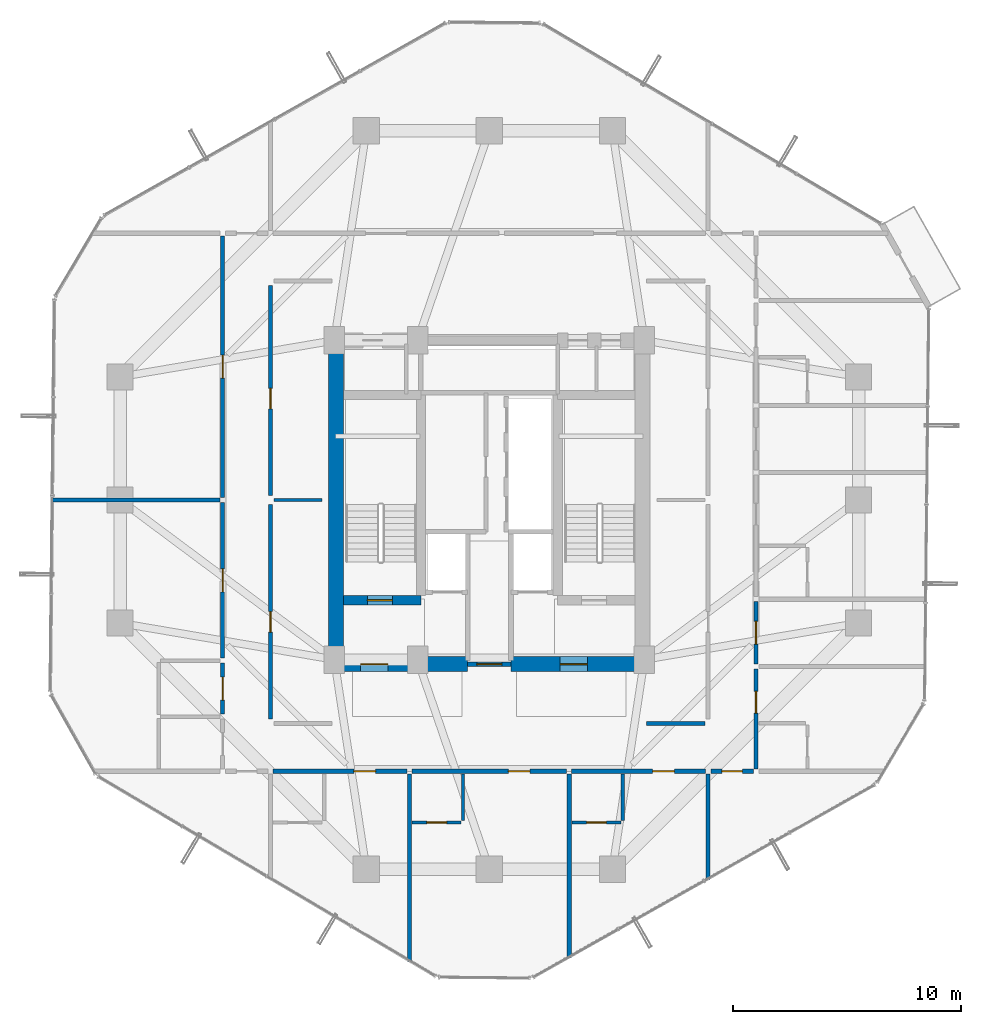
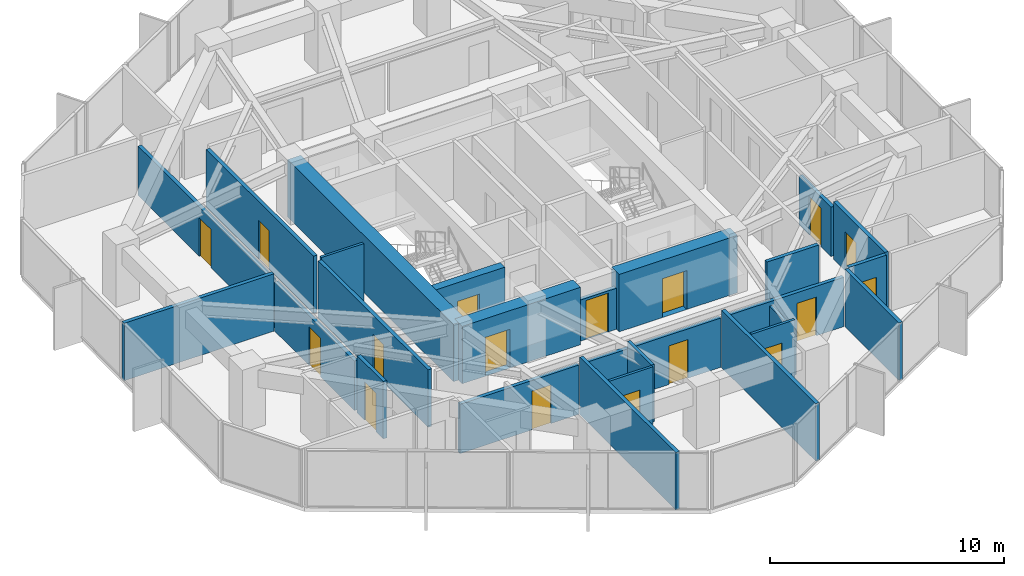
# One storey, part 26 of 30: 26 walls, 17 doors, 17 openings.
"""IFC4 building model written with IfcOpenShell, lengths in metres."""

import ifcopenshell
import ifcopenshell.guid

model = None  # the IFC model being written
_history = None  # IfcOwnerHistory: only IFC2X3 demands one
_inside = {}  # id of a spatial element -> (the spatial element, [elements in it])
_under = {}  # id of a project, library or spatial element -> (it, [spatial elements below it])
_declared = {}  # id of a project -> (the project, [libraries it declares])
_typed = {}  # id of a type object -> (the type object, [elements of that type])
_made_of = {}  # id of a material, layer set ... -> (it, [elements and type objects made of it])


def new_model(schema):
    """Start an empty IFC model of exactly this schema.

    Asked for "IFC4X3", IfcOpenShell would pick the latest addendum, in which some entities
    have other attributes; the version numbers below select the first issue.
    IFC2X3 requires an IfcOwnerHistory on every rooted entity: one is made here for all.
    """
    global model, _history
    if schema == "IFC4X3":
        model = ifcopenshell.file(schema_version=(4, 3, 0, 0))
    else:
        model = ifcopenshell.file(schema=schema)
    _inside.clear()
    _under.clear()
    _declared.clear()
    _typed.clear()
    _made_of.clear()
    _history = None
    if model.schema == "IFC2X3":
        org = make("IfcOrganization", Name="unknown")
        user = make(
            "IfcPersonAndOrganization",
            ThePerson=make("IfcPerson", FamilyName="unknown"),
            TheOrganization=org,
        )
        app = make(
            "IfcApplication",
            ApplicationDeveloper=org,
            Version="unknown",
            ApplicationFullName="unknown",
            ApplicationIdentifier="unknown",
        )
        _history = make(
            "IfcOwnerHistory",
            OwningUser=user,
            OwningApplication=app,
            ChangeAction="ADDED",
            CreationDate=0,
        )
    return model


def make(cls, **values):
    """One entity of the class cls with the attributes given. An attribute that is None is left unset."""
    return model.create_entity(
        cls, **{name: value for name, value in values.items() if value is not None}
    )


def rooted(cls, **values):
    """An entity with a GlobalId (a new one), such as an element, a storey or a relation."""
    return make(cls, GlobalId=ifcopenshell.guid.new(), OwnerHistory=_history, **values)


def si_unit(unit_type, name, prefix=None):
    """IfcSIUnit, for example si_unit("LENGTHUNIT", "METRE", prefix="MILLI")."""
    return make("IfcSIUnit", UnitType=unit_type, Prefix=prefix, Name=name)


def assignment(units):
    """IfcUnitAssignment: the units of a project."""
    return None if units is None else make("IfcUnitAssignment", Units=units)


def point(xyz):
    """IfcCartesianPoint."""
    return None if xyz is None else make("IfcCartesianPoint", Coordinates=xyz)


def direction(xyz):
    """IfcDirection."""
    return None if xyz is None else make("IfcDirection", DirectionRatios=xyz)


def frame(location, z_axis=None, x_axis=None):
    """IfcAxis2Placement3D, a coordinate frame: its origin and axes. An axis left out is left unset."""
    return make(
        "IfcAxis2Placement3D",
        Location=point(location),
        Axis=direction(z_axis),
        RefDirection=direction(x_axis),
    )


def frame_2d(location, x_axis=None):
    """IfcAxis2Placement2D, a coordinate frame in the plane: its origin and x axis."""
    return make(
        "IfcAxis2Placement2D", Location=point(location), RefDirection=direction(x_axis)
    )


def origin():
    """The frame at (0, 0, 0) with its axes left unset."""
    return frame((0.0, 0.0, 0.0))


def place(relative_to, where):
    """IfcLocalPlacement: puts the frame where relative to a parent placement (None: the world)."""
    return make(
        "IfcLocalPlacement", PlacementRelTo=relative_to, RelativePlacement=where
    )


def context(
    kind, dimensions, precision=None, world=None, true_north=None, identifier=None
):
    """IfcGeometricRepresentationContext, for example the 3D "Model" context."""
    return make(
        "IfcGeometricRepresentationContext",
        ContextIdentifier=identifier,
        ContextType=kind,
        CoordinateSpaceDimension=dimensions,
        Precision=precision,
        WorldCoordinateSystem=world,
        TrueNorth=true_north,
    )


def subcontext(parent, identifier, kind, view, scale=None):
    """IfcGeometricRepresentationSubContext, for example "Body" below "Model"."""
    return make(
        "IfcGeometricRepresentationSubContext",
        ContextIdentifier=identifier,
        ContextType=kind,
        ParentContext=parent,
        TargetScale=scale,
        TargetView=view,
    )


def project(units=None, contexts=None):
    """IfcProject with its units and contexts."""
    return rooted(
        "IfcProject",
        Name="project",
        RepresentationContexts=contexts,
        UnitsInContext=assignment(units),
    )


def spatial(cls, under=None, at=None, **own):
    """A site, building, storey or space (cls), placed at a placement, below another one or the project."""
    s = rooted(cls, ObjectPlacement=at, **own)
    if under is not None:
        _under.setdefault(under.id(), (under, []))[1].append(s)
    return s


def profile(cls, at=None, kind="AREA", **sizes):
    """A parametric profile (cls). Its sizes go by their IFC names, for example OverallWidth=200.0."""
    return make(cls, ProfileType=kind, Position=at, **sizes)


def rectangle(**sizes):
    """IfcRectangleProfileDef."""
    return profile("IfcRectangleProfileDef", **sizes)


def extrude(swept, where, along, depth):
    """IfcExtrudedAreaSolid: the profile swept, set in the frame where, extruded along a direction by depth."""
    return make(
        "IfcExtrudedAreaSolid",
        SweptArea=swept,
        Position=where,
        ExtrudedDirection=direction(along),
        Depth=depth,
    )


def shape(context_of_items, identifier, shape_type, items):
    """IfcShapeRepresentation: the items that make up one representation, for example the "Body"."""
    return make(
        "IfcShapeRepresentation",
        ContextOfItems=context_of_items,
        RepresentationIdentifier=identifier,
        RepresentationType=shape_type,
        Items=items,
    )


def source(mapping_origin, context_of_items, identifier, shape_type, items):
    """IfcRepresentationMap: a shape defined once, which mapped items show again and again."""
    return make(
        "IfcRepresentationMap",
        MappingOrigin=mapping_origin,
        MappedRepresentation=shape(context_of_items, identifier, shape_type, items),
    )


def transform(
    local_origin,
    x_axis=None,
    y_axis=None,
    z_axis=None,
    scale=None,
    scale2=None,
    scale3=None,
    uniform=True,
):
    """IfcCartesianTransformationOperator3D, or its non-uniform kind. x_axis, y_axis, z_axis: its Axis1, 2, 3."""
    if uniform:
        return make(
            "IfcCartesianTransformationOperator3D",
            Axis1=direction(x_axis),
            Axis2=direction(y_axis),
            LocalOrigin=point(local_origin),
            Scale=scale,
            Axis3=direction(z_axis),
        )
    return make(
        "IfcCartesianTransformationOperator3DnonUniform",
        Axis1=direction(x_axis),
        Axis2=direction(y_axis),
        LocalOrigin=point(local_origin),
        Scale=scale,
        Axis3=direction(z_axis),
        Scale2=scale2,
        Scale3=scale3,
    )


def mapped(mapping_source, mapping_target):
    """IfcMappedItem: shows the shape of a source again, moved by a transform."""
    return make(
        "IfcMappedItem", MappingSource=mapping_source, MappingTarget=mapping_target
    )


def material(Name=None, Category=None):
    """IfcMaterial."""
    return make("IfcMaterial", Name=Name, Category=Category)


def layer(
    of_material, thickness, ventilated=None, Name=None, Category=None, Priority=None
):
    """IfcMaterialLayer: one layer of a wall or slab, of a material (None: an air gap)."""
    return make(
        "IfcMaterialLayer",
        Material=of_material,
        LayerThickness=thickness,
        IsVentilated=ventilated,
        Name=Name,
        Category=Category,
        Priority=Priority,
    )


def layer_set(layers, Name=None):
    """IfcMaterialLayerSet."""
    return make("IfcMaterialLayerSet", MaterialLayers=layers, LayerSetName=Name)


def made_of(thing, what):
    """Note that an element or type object is made of a material, layer set ...; save() writes the relation."""
    if what is not None:
        _made_of.setdefault(what.id(), (what, []))[1].append(thing)
    return thing


def type_object(cls, material=None, **own):
    """A type object (cls), such as IfcWallType, which elements share."""
    return made_of(rooted(cls, **own), material)


def element(
    cls,
    number,
    at=None,
    inside=None,
    cuts=None,
    type_object=None,
    material=None,
    context=None,
    identifier="Body",
    shape_type=None,
    held_by="IfcProductDefinitionShape",
    body=None,
    shapes=None,
    **own,
):
    """One element of the class cls, such as IfcWall. Its Tag is "e" and its number.

    at: its placement. inside: the storey or other place that contains it. cuts: it is an
    opening in that element (IfcRelVoidsElement). A single representation is given by context,
    identifier, shape_type and body (its items); several are given by shapes. held_by: the class
    of the entity that holds the representations. save() writes the other relations.
    """
    e = rooted(cls, Tag="e%d" % number, ObjectPlacement=at, **own)
    if body is not None:
        shapes = [shape(context, identifier, shape_type, body)]
    if shapes is not None:
        e.Representation = make(held_by, Representations=shapes)
    if inside is not None:
        _inside.setdefault(inside.id(), (inside, []))[1].append(e)
    if cuts is not None:
        rooted(
            "IfcRelVoidsElement", RelatingBuildingElement=cuts, RelatedOpeningElement=e
        )
    if type_object is not None:
        _typed.setdefault(type_object.id(), (type_object, []))[1].append(e)
    return made_of(e, material)


def fill(opening, filler):
    """IfcRelFillsElement: the door or window that sits in an opening."""
    return rooted(
        "IfcRelFillsElement",
        RelatingOpeningElement=opening,
        RelatedBuildingElement=filler,
    )


def aggregate(whole, parts):
    """IfcRelAggregates: a whole, such as a stair, and the parts it consists of."""
    return rooted("IfcRelAggregates", RelatingObject=whole, RelatedObjects=parts)


def save(model, path):
    """Write the relations noted so far, then the file.

    IfcRelAggregates (storeys below a building ...), IfcRelContainedInSpatialStructure (elements
    in a storey), IfcRelDefinesByType, IfcRelAssociatesMaterial and IfcRelDeclares: one each for
    every whole, place, type object, material and project.
    """
    for whole, parts in _under.values():
        aggregate(whole, parts)
    for where, things in _inside.values():
        rooted(
            "IfcRelContainedInSpatialStructure",
            RelatedElements=things,
            RelatingStructure=where,
        )
    for kind, things in _typed.values():
        rooted("IfcRelDefinesByType", RelatedObjects=things, RelatingType=kind)
    for what, things in _made_of.values():
        rooted("IfcRelAssociatesMaterial", RelatedObjects=things, RelatingMaterial=what)
    for by, libraries in _declared.values():
        rooted("IfcRelDeclares", RelatingContext=by, RelatedDefinitions=libraries)
    model.write(path)


model = new_model("IFC4")

# Units and contexts
model_context = context("Model", 3, precision=1e-05, world=origin(), true_north=direction((0.0, 1.0)))
body_context = subcontext(model_context, "Body", "Model", "MODEL_VIEW")
ifc_project = project(units=[si_unit("LENGTHUNIT", "METRE"), si_unit("AREAUNIT", "SQUARE_METRE"), si_unit("VOLUMEUNIT", "CUBIC_METRE"), si_unit("PLANEANGLEUNIT", "RADIAN"), si_unit("MASSUNIT", "GRAM", prefix="KILO")], contexts=[model_context])

# Site, building, storey
site_placement = place(None, origin())
site = spatial("IfcSite", under=ifc_project, at=site_placement, CompositionType="ELEMENT")
building_placement = place(site_placement, origin())
building = spatial("IfcBuilding", under=site, at=building_placement, Name="Veraguas Prism Commons", CompositionType="ELEMENT")
storey_placement = place(building_placement, frame((0.0, 0.0, 126.25)))
storey = spatial("IfcBuildingStorey", under=building, at=storey_placement, Name="L35", CompositionType="ELEMENT", Elevation=126.25)

# Wall, opening, door
ifc_material_1 = material(Name="Concrete C50/60", Category="concrete")
ifc_layer_1 = layer(ifc_material_1, 0.39990234375, Name="Clinic and Mid Core Shear Wall RC 400", Category="concrete")
ifc_layer_set_1 = layer_set([ifc_layer_1], Name="Concrete C50/60")
wall_type_1 = type_object("IfcWallType", Name="Clinic and Mid Core Shear Wall RC 400", PredefinedType="SHEAR", material=ifc_layer_set_1)
wall_1_placement = place(storey_placement, frame((17.60009765625, 19.60009765625, 0.0), z_axis=(0.0, 0.0, 1.0), x_axis=(1.0, 0.0, 0.0)))
wall_1 = element("IfcWall", 1, at=wall_1_placement, inside=storey, type_object=wall_type_1, Name="Stair ST-01 South Shear Wall L35", PredefinedType="SHEAR", context=body_context, shape_type="SweptSolid", body=[
    extrude(rectangle(XDim=3.39990234375, YDim=0.39990234375, at=frame_2d((1.699951171875, 0.0))), origin(), (0.0, 0.0, 1.0), 3.0),
])
opening_1_placement = place(wall_1_placement, frame((1.050048828125, 0.0, 0.0)))
opening_1 = element("IfcOpeningElement", 2, at=opening_1_placement, cuts=wall_1, Name="Opening DR-05", PredefinedType="OPENING", context=body_context, shape_type="SweptSolid", body=[
    extrude(rectangle(XDim=1.10009765625, YDim=2.030029296875, at=frame_2d((0.550048828125, 1.01513671875))), frame((0.0, 0.2099609375, 0.0), z_axis=(0.0, -1.0, 0.0), x_axis=(1.0, 0.0, 0.0)), (0.0, 0.0, 1.0), 0.419921875),
])
ifc_material_2 = material(Name="Steel fire-rated door assembly", Category="steel")
door_type_1 = type_object("IfcDoorType", Name="Protected Stair and Refuge Fire Door 1100x2030", OperationType="NOTDEFINED", PredefinedType="DOOR", material=ifc_material_2)
shared_shape_1 = source(origin(), body_context, "Body", "SweptSolid", [
    extrude(rectangle(XDim=1.10009765625, YDim=2.030029296875, at=frame_2d((0.550048828125, 1.01513671875))), frame((0.0, 0.02490234375, 0.0), z_axis=(0.0, -1.0, 0.0), x_axis=(1.0, 0.0, 0.0)), (0.0, 0.0, 1.0), 0.050048828125),
])
door_1_placement = place(opening_1_placement, origin())
door_1 = element("IfcDoor", 3, at=door_1_placement, inside=storey, type_object=door_type_1, Name="Stair ST-01 Enclosure Door L35", OperationType="SINGLE_SWING_RIGHT", OverallHeight=2.030029296875, OverallWidth=1.10009765625, PredefinedType="DOOR", context=body_context, shape_type="MappedRepresentation", body=[
    mapped(shared_shape_1, transform((0.0, 0.0, 0.0), scale=1.0)),
])
fill(opening_1, door_1)

# Wall
ifc_material_3 = material(Name="Concrete C55/67", Category="concrete")
ifc_layer_2 = layer(ifc_material_3, 0.64990234375, Name="Core Outer Shear Wall Mid RC 650", Category="concrete")
ifc_layer_set_2 = layer_set([ifc_layer_2], Name="Concrete C55/67")
wall_type_2 = type_object("IfcWallType", Name="Core Outer Shear Wall Mid RC 650", PredefinedType="SHEAR", material=ifc_layer_set_2)
wall_2_placement = place(storey_placement, frame((17.27490234375, 16.800048828125, 0.0), z_axis=(0.0, 0.0, 1.0), x_axis=(0.0, 1.0, 0.0)))
element("IfcWall", 4, at=wall_2_placement, inside=storey, type_object=wall_type_2, Name="Central Core West Shear Wall L35", PredefinedType="SHEAR", context=body_context, shape_type="SweptSolid", body=[
    extrude(rectangle(XDim=14.199951171875, YDim=0.64990234375, at=frame_2d((7.10009765625, 0.0))), origin(), (0.0, 0.0, 1.0), 3.0),
])

# Wall, opening, door
wall_3_placement = place(storey_placement, frame((17.199951171875, 16.800048828125, 0.0), z_axis=(0.0, 0.0, 1.0), x_axis=(1.0, 0.0, 0.0)))
wall_3 = element("IfcWall", 5, at=wall_3_placement, inside=storey, type_object=wall_type_2, Name="Central Core South-West Shear Wall L35", PredefinedType="SHEAR", context=body_context, shape_type="SweptSolid", body=[
    extrude(rectangle(XDim=5.85009765625, YDim=0.64990234375, at=frame_2d((2.925048828125, 0.0))), origin(), (0.0, 0.0, 1.0), 3.0),
])
opening_2_placement = place(wall_3_placement, frame((1.14990234375, 0.0, 0.0)))
opening_2 = element("IfcOpeningElement", 6, at=opening_2_placement, cuts=wall_3, Name="Opening DR-06", PredefinedType="OPENING", context=body_context, shape_type="SweptSolid", body=[
    extrude(rectangle(XDim=1.199951171875, YDim=2.030029296875, at=frame_2d((0.60009765625, 1.01513671875))), frame((0.0, 0.3349609375, 0.0), z_axis=(0.0, -1.0, 0.0), x_axis=(1.0, 0.0, 0.0)), (0.0, 0.0, 1.0), 0.669921875),
])
door_type_2 = type_object("IfcDoorType", Name="Firefighting Lobby Smoke Door 1200x2030", OperationType="NOTDEFINED", PredefinedType="DOOR", material=ifc_material_2)
shared_shape_2 = source(origin(), body_context, "Body", "SweptSolid", [
    extrude(rectangle(XDim=1.199951171875, YDim=2.030029296875, at=frame_2d((0.60009765625, 1.01513671875))), frame((0.0, 0.02490234375, 0.0), z_axis=(0.0, -1.0, 0.0), x_axis=(1.0, 0.0, 0.0)), (0.0, 0.0, 1.0), 0.050048828125),
])
door_2_placement = place(opening_2_placement, origin())
door_2 = element("IfcDoor", 7, at=door_2_placement, inside=storey, type_object=door_type_2, Name="West FF Lobby Door L35", OperationType="SINGLE_SWING_RIGHT", OverallHeight=2.030029296875, OverallWidth=1.199951171875, PredefinedType="DOOR", context=body_context, shape_type="MappedRepresentation", body=[
    mapped(shared_shape_2, transform((0.0, 0.0, 0.0), scale=1.0)),
])
fill(opening_2, door_2)

wall_4_placement = place(storey_placement, frame((24.949951171875, 16.800048828125, 0.0), z_axis=(0.0, 0.0, 1.0), x_axis=(1.0, 0.0, 0.0)))
wall_4 = element("IfcWall", 8, at=wall_4_placement, inside=storey, type_object=wall_type_2, Name="Central Core South-East Shear Wall L35", PredefinedType="SHEAR", context=body_context, shape_type="SweptSolid", body=[
    extrude(rectangle(XDim=5.85009765625, YDim=0.64990234375, at=frame_2d((2.925048828125, 0.0))), origin(), (0.0, 0.0, 1.0), 3.0),
])
opening_3_placement = place(wall_4_placement, frame((2.14990234375, 0.0, 0.0)))
opening_3 = element("IfcOpeningElement", 9, at=opening_3_placement, cuts=wall_4, Name="Opening DR-06", PredefinedType="OPENING", context=body_context, shape_type="SweptSolid", body=[
    extrude(rectangle(XDim=1.199951171875, YDim=2.030029296875, at=frame_2d((0.60009765625, 1.01513671875))), frame((0.0, 0.3349609375, 0.0), z_axis=(0.0, -1.0, 0.0), x_axis=(1.0, 0.0, 0.0)), (0.0, 0.0, 1.0), 0.669921875),
])
door_3_placement = place(opening_3_placement, origin())
door_3 = element("IfcDoor", 10, at=door_3_placement, inside=storey, type_object=door_type_2, Name="East FF Lobby Door L35", OperationType="SINGLE_SWING_RIGHT", OverallHeight=2.030029296875, OverallWidth=1.199951171875, PredefinedType="DOOR", context=body_context, shape_type="MappedRepresentation", body=[
    mapped(shared_shape_2, transform((0.0, 0.0, 0.0), scale=1.0)),
])
fill(opening_3, door_3)

ifc_material_4 = material(Name="Autoclaved aerated masonry block 10 MPa", Category="masonry")
ifc_layer_3 = layer(ifc_material_4, 0.179931640625, Name="Corridor and Inter-Tenancy Partition 180", Category="masonry")
ifc_layer_set_3 = layer_set([ifc_layer_3], Name="Autoclaved aerated masonry block 10 MPa")
wall_type_3 = type_object("IfcWallType", Name="Corridor and Inter-Tenancy Partition 180", PredefinedType="PARTITIONING", material=ifc_layer_set_3)
wall_5_placement = place(storey_placement, frame((14.39990234375, 14.39990234375, 0.0), z_axis=(0.0, 0.0, 1.0), x_axis=(0.0, 1.0, 0.0)))
wall_5 = element("IfcWall", 11, at=wall_5_placement, inside=storey, type_object=wall_type_3, Name="WL-L35-IRW1", PredefinedType="PARTITIONING", context=body_context, shape_type="SweptSolid", body=[
    extrude(rectangle(XDim=9.400146484375, YDim=0.179931640625, at=frame_2d((4.7001953125, 0.0))), origin(), (0.0, 0.0, 1.0), 3.0),
])
opening_4_placement = place(wall_5_placement, frame((3.800048828125, 0.0, 0.0)))
opening_4 = element("IfcOpeningElement", 12, at=opening_4_placement, cuts=wall_5, Name="Opening DR-14", PredefinedType="OPENING", context=body_context, shape_type="SweptSolid", body=[
    extrude(rectangle(XDim=0.89990234375, YDim=2.010009765625, at=frame_2d((0.449951171875, 1.0048828125))), frame((0.0, 0.099853515625, 0.0), z_axis=(0.0, -1.0, 0.0), x_axis=(1.0, 0.0, 0.0)), (0.0, 0.0, 1.0), 0.199951171875),
])
door_type_3 = type_object("IfcDoorType", Name="Core Service Room Fire Door 900x2010", OperationType="NOTDEFINED", PredefinedType="DOOR", material=ifc_material_2)
shared_shape_3 = source(origin(), body_context, "Body", "SweptSolid", [
    extrude(rectangle(XDim=0.89990234375, YDim=2.010009765625, at=frame_2d((0.449951171875, 1.0048828125))), frame((0.0, 0.02490234375, 0.0), z_axis=(0.0, -1.0, 0.0), x_axis=(1.0, 0.0, 0.0)), (0.0, 0.0, 1.0), 0.050048828125),
])
door_4_placement = place(opening_4_placement, origin())
door_4 = element("IfcDoor", 13, at=door_4_placement, inside=storey, type_object=door_type_3, Name="Residents Quiet Study Pod Door L35", OperationType="SINGLE_SWING_LEFT", OverallHeight=2.010009765625, OverallWidth=0.89990234375, PredefinedType="DOOR", context=body_context, shape_type="MappedRepresentation", body=[
    mapped(shared_shape_3, transform((0.0, 0.0, 0.0), scale=1.0)),
])
fill(opening_4, door_4)

wall_6_placement = place(storey_placement, frame((14.39990234375, 24.199951171875, 0.0), z_axis=(0.0, 0.0, 1.0), x_axis=(0.0, 1.0, 0.0)))
wall_6 = element("IfcWall", 14, at=wall_6_placement, inside=storey, type_object=wall_type_3, Name="WL-L35-IRW2", PredefinedType="PARTITIONING", context=body_context, shape_type="SweptSolid", body=[
    extrude(rectangle(XDim=9.199951171875, YDim=0.179931640625, at=frame_2d((4.60009765625, 0.0))), origin(), (0.0, 0.0, 1.0), 3.0),
])
opening_5_placement = place(wall_6_placement, frame((3.800048828125, 0.0, 0.0)))
opening_5 = element("IfcOpeningElement", 15, at=opening_5_placement, cuts=wall_6, Name="Opening DR-14", PredefinedType="OPENING", context=body_context, shape_type="SweptSolid", body=[
    extrude(rectangle(XDim=0.89990234375, YDim=2.010009765625, at=frame_2d((0.449951171875, 1.0048828125))), frame((0.0, 0.099853515625, 0.0), z_axis=(0.0, -1.0, 0.0), x_axis=(1.0, 0.0, 0.0)), (0.0, 0.0, 1.0), 0.199951171875),
])
door_5_placement = place(opening_5_placement, origin())
door_5 = element("IfcDoor", 16, at=door_5_placement, inside=storey, type_object=door_type_3, Name="Co-op Cycle and Pram Store Door L35", OperationType="SINGLE_SWING_RIGHT", OverallHeight=2.010009765625, OverallWidth=0.89990234375, PredefinedType="DOOR", context=body_context, shape_type="MappedRepresentation", body=[
    mapped(shared_shape_3, transform((0.0, 0.0, 0.0), scale=1.0)),
])
fill(opening_5, door_5)

# Walls
wall_7_placement = place(storey_placement, frame((30.89990234375, 14.199951171875, 0.0), z_axis=(0.0, 0.0, 1.0), x_axis=(1.0, 0.0, 0.0)))
element("IfcWall", 17, at=wall_7_placement, inside=storey, type_object=wall_type_3, Name="WL-L35-IRES", PredefinedType="PARTITIONING", context=body_context, shape_type="SweptSolid", body=[
    extrude(rectangle(XDim=2.550048828125, YDim=0.179931640625, at=frame_2d((1.27490234375, 0.0))), origin(), (0.0, 0.0, 1.0), 3.0),
])
wall_8_placement = place(storey_placement, frame((33.60009765625, 11.97998046875, 0.0), z_axis=(0.0, 0.0, 1.0), x_axis=(0.0, -1.0, 0.0)))
element("IfcWall", 18, at=wall_8_placement, inside=storey, type_object=wall_type_3, Name="WL-L35-PT002", PredefinedType="PARTITIONING", context=body_context, shape_type="SweptSolid", body=[
    extrude(rectangle(XDim=4.623291015625, YDim=0.179931640625, at=frame_2d((2.3115234375, 0.0))), origin(), (0.0, 0.0, 1.0), 3.0),
])

# Wall, opening, door
wall_9_placement = place(storey_placement, frame((14.510009765625, 12.10009765625, 0.0), z_axis=(0.0, 0.0, 1.0), x_axis=(1.0, 0.0, 0.0)))
wall_9 = element("IfcWall", 19, at=wall_9_placement, inside=storey, type_object=wall_type_3, Name="WL-L35-PT003", PredefinedType="PARTITIONING", context=body_context, shape_type="SweptSolid", body=[
    extrude(rectangle(XDim=5.8759765625, YDim=0.179931640625, at=frame_2d((2.93798828125, 0.0))), origin(), (0.0, 0.0, 1.0), 2.580078125),
])
opening_6_placement = place(wall_9_placement, frame((3.54931640625, 0.0, 0.0)))
opening_6 = element("IfcOpeningElement", 20, at=opening_6_placement, cuts=wall_9, Name="Opening DR-01", PredefinedType="OPENING", context=body_context, shape_type="SweptSolid", body=[
    extrude(rectangle(XDim=0.949951171875, YDim=2.02001953125, at=frame_2d((0.47509765625, 1.010009765625))), frame((0.0, 0.099853515625, 0.0), z_axis=(0.0, -1.0, 0.0), x_axis=(1.0, 0.0, 0.0)), (0.0, 0.0, 1.0), 0.199951171875),
])
ifc_material_5 = material(Name="Anodised aluminium EN AW-6063 T6", Category="aluminium")
door_type_4 = type_object("IfcDoorType", Name="Apartment Entrance Fire Door 950x2020", OperationType="NOTDEFINED", PredefinedType="DOOR", material=ifc_material_5)
shared_shape_4 = source(origin(), body_context, "Body", "SweptSolid", [
    extrude(rectangle(XDim=0.949951171875, YDim=2.02001953125, at=frame_2d((0.47509765625, 1.010009765625))), frame((0.0, 0.02490234375, 0.0), z_axis=(0.0, -1.0, 0.0), x_axis=(1.0, 0.0, 0.0)), (0.0, 0.0, 1.0), 0.050048828125),
])
door_6_placement = place(opening_6_placement, origin())
door_6 = element("IfcDoor", 21, at=door_6_placement, inside=storey, type_object=door_type_4, Name="Studio 35A Entrance Door", OperationType="SINGLE_SWING_LEFT", OverallHeight=2.02001953125, OverallWidth=0.949951171875, PredefinedType="DOOR", context=body_context, shape_type="MappedRepresentation", body=[
    mapped(shared_shape_4, transform((0.0, 0.0, 0.0), scale=1.0)),
])
fill(opening_6, door_6)

# Wall
wall_10_placement = place(storey_placement, frame((20.49609375, 11.97998046875, 0.0), z_axis=(0.0, 0.0, 1.0), x_axis=(0.0, -1.0, 0.0)))
element("IfcWall", 22, at=wall_10_placement, inside=storey, type_object=wall_type_3, Name="WL-L35-PT006", PredefinedType="PARTITIONING", context=body_context, shape_type="SweptSolid", body=[
    extrude(rectangle(XDim=8.228515625, YDim=0.179931640625, at=frame_2d((4.1142578125, 0.0))), origin(), (0.0, 0.0, 1.0), 3.0),
])

# Wall, opening, door
wall_11_placement = place(storey_placement, frame((20.60595703125, 12.10009765625, 0.0), z_axis=(0.0, 0.0, 1.0), x_axis=(1.0, 0.0, 0.0)))
wall_11 = element("IfcWall", 23, at=wall_11_placement, inside=storey, type_object=wall_type_3, Name="WL-L35-PT007", PredefinedType="PARTITIONING", context=body_context, shape_type="SweptSolid", body=[
    extrude(rectangle(XDim=6.7880859375, YDim=0.179931640625, at=frame_2d((3.39404296875, 0.0))), origin(), (0.0, 0.0, 1.0), 2.580078125),
])
opening_7_placement = place(wall_11_placement, frame((4.22412109375, 0.0, 0.0)))
opening_7 = element("IfcOpeningElement", 24, at=opening_7_placement, cuts=wall_11, Name="Opening DR-01", PredefinedType="OPENING", context=body_context, shape_type="SweptSolid", body=[
    extrude(rectangle(XDim=0.949951171875, YDim=2.02001953125, at=frame_2d((0.47509765625, 1.010009765625))), frame((0.0, 0.099853515625, 0.0), z_axis=(0.0, -1.0, 0.0), x_axis=(1.0, 0.0, 0.0)), (0.0, 0.0, 1.0), 0.199951171875),
])
door_7_placement = place(opening_7_placement, origin())
door_7 = element("IfcDoor", 25, at=door_7_placement, inside=storey, type_object=door_type_4, Name="Studio 35B Entrance Door", OperationType="SINGLE_SWING_LEFT", OverallHeight=2.02001953125, OverallWidth=0.949951171875, PredefinedType="DOOR", context=body_context, shape_type="MappedRepresentation", body=[
    mapped(shared_shape_4, transform((0.0, 0.0, 0.0), scale=1.0)),
])
fill(opening_7, door_7)

# Wall
wall_12_placement = place(storey_placement, frame((27.50390625, 11.97998046875, 0.0), z_axis=(0.0, 0.0, 1.0), x_axis=(0.0, -1.0, 0.0)))
element("IfcWall", 26, at=wall_12_placement, inside=storey, type_object=wall_type_3, Name="WL-L35-PT010", PredefinedType="PARTITIONING", context=body_context, shape_type="SweptSolid", body=[
    extrude(rectangle(XDim=8.05810546875, YDim=0.179931640625, at=frame_2d((4.029052734375, 0.0))), origin(), (0.0, 0.0, 1.0), 3.0),
])

# Wall, opening, door
wall_13_placement = place(storey_placement, frame((27.614013671875, 12.10009765625, 0.0), z_axis=(0.0, 0.0, 1.0), x_axis=(1.0, 0.0, 0.0)))
wall_13 = element("IfcWall", 27, at=wall_13_placement, inside=storey, type_object=wall_type_3, Name="WL-L35-PT011", PredefinedType="PARTITIONING", context=body_context, shape_type="SweptSolid", body=[
    extrude(rectangle(XDim=5.8759765625, YDim=0.179931640625, at=frame_2d((2.93798828125, 0.0))), origin(), (0.0, 0.0, 1.0), 2.580078125),
])
opening_8_placement = place(wall_13_placement, frame((3.54931640625, 0.0, 0.0)))
opening_8 = element("IfcOpeningElement", 28, at=opening_8_placement, cuts=wall_13, Name="Opening DR-01", PredefinedType="OPENING", context=body_context, shape_type="SweptSolid", body=[
    extrude(rectangle(XDim=0.949951171875, YDim=2.02001953125, at=frame_2d((0.47509765625, 1.010009765625))), frame((0.0, 0.099853515625, 0.0), z_axis=(0.0, -1.0, 0.0), x_axis=(1.0, 0.0, 0.0)), (0.0, 0.0, 1.0), 0.199951171875),
])
door_8_placement = place(opening_8_placement, origin())
door_8 = element("IfcDoor", 29, at=door_8_placement, inside=storey, type_object=door_type_4, Name="Studio 35C Entrance Door", OperationType="SINGLE_SWING_LEFT", OverallHeight=2.02001953125, OverallWidth=0.949951171875, PredefinedType="DOOR", context=body_context, shape_type="MappedRepresentation", body=[
    mapped(shared_shape_4, transform((0.0, 0.0, 0.0), scale=1.0)),
])
fill(opening_8, door_8)

wall_14_placement = place(storey_placement, frame((12.300048828125, 14.610107421875, 0.0), z_axis=(0.0, 0.0, 1.0), x_axis=(0.0, 1.0, 0.0)))
wall_14 = element("IfcWall", 30, at=wall_14_placement, inside=storey, type_object=wall_type_3, Name="WL-L35-PT021", PredefinedType="PARTITIONING", context=body_context, shape_type="SweptSolid", body=[
    extrude(rectangle(XDim=2.22998046875, YDim=0.179931640625, at=frame_2d((1.114990234375, 0.0))), origin(), (0.0, 0.0, 1.0), 3.0),
])
opening_9_placement = place(wall_14_placement, frame((0.614990234375, 0.0, 0.0)))
opening_9 = element("IfcOpeningElement", 31, at=opening_9_placement, cuts=wall_14, Name="Opening DR-13", PredefinedType="OPENING", context=body_context, shape_type="SweptSolid", body=[
    extrude(rectangle(XDim=1.0, YDim=2.010009765625, at=frame_2d((0.5, 1.0048828125))), frame((0.0, 0.099853515625, 0.0), z_axis=(0.0, -1.0, 0.0), x_axis=(1.0, 0.0, 0.0)), (0.0, 0.0, 1.0), 0.199951171875),
])
door_type_5 = type_object("IfcDoorType", Name="Core Accessible WC and Clinic Fire Door 1000x2010", OperationType="NOTDEFINED", PredefinedType="DOOR", material=ifc_material_2)
shared_shape_5 = source(origin(), body_context, "Body", "SweptSolid", [
    extrude(rectangle(XDim=1.0, YDim=2.010009765625, at=frame_2d((0.5, 1.0048828125))), frame((0.0, 0.02490234375, 0.0), z_axis=(0.0, -1.0, 0.0), x_axis=(1.0, 0.0, 0.0)), (0.0, 0.0, 1.0), 0.050048828125),
])
door_9_placement = place(opening_9_placement, origin())
door_9 = element("IfcDoor", 32, at=door_9_placement, inside=storey, type_object=door_type_5, Name="Accessible WC L35 Door", OperationType="SINGLE_SWING_RIGHT", OverallHeight=2.010009765625, OverallWidth=1.0, PredefinedType="DOOR", context=body_context, shape_type="MappedRepresentation", body=[
    mapped(shared_shape_5, transform((0.0, 0.0, 0.0), scale=1.0)),
])
fill(opening_9, door_9)

wall_15_placement = place(storey_placement, frame((12.300048828125, 17.06005859375, 0.0), z_axis=(0.0, 0.0, 1.0), x_axis=(0.0, 1.0, 0.0)))
wall_15 = element("IfcWall", 33, at=wall_15_placement, inside=storey, type_object=wall_type_3, Name="WL-L35-PT022", PredefinedType="PARTITIONING", context=body_context, shape_type="SweptSolid", body=[
    extrude(rectangle(XDim=6.829833984375, YDim=0.179931640625, at=frame_2d((3.4150390625, 0.0))), origin(), (0.0, 0.0, 1.0), 2.580078125),
])
opening_10_placement = place(wall_15_placement, frame((2.9150390625, 0.0, 0.0)))
opening_10 = element("IfcOpeningElement", 34, at=opening_10_placement, cuts=wall_15, Name="Opening DR-13", PredefinedType="OPENING", context=body_context, shape_type="SweptSolid", body=[
    extrude(rectangle(XDim=1.0, YDim=2.010009765625, at=frame_2d((0.5, 1.0048828125))), frame((0.0, 0.099853515625, 0.0), z_axis=(0.0, -1.0, 0.0), x_axis=(1.0, 0.0, 0.0)), (0.0, 0.0, 1.0), 0.199951171875),
])
door_10_placement = place(opening_10_placement, origin())
door_10 = element("IfcDoor", 35, at=door_10_placement, inside=storey, type_object=door_type_5, Name="Quiet Study L35 Door", OperationType="SINGLE_SWING_LEFT", OverallHeight=2.010009765625, OverallWidth=1.0, PredefinedType="DOOR", context=body_context, shape_type="MappedRepresentation", body=[
    mapped(shared_shape_5, transform((0.0, 0.0, 0.0), scale=1.0)),
])
fill(opening_10, door_10)

wall_16_placement = place(storey_placement, frame((12.300048828125, 24.110107421875, 0.0), z_axis=(0.0, 0.0, 1.0), x_axis=(0.0, 1.0, 0.0)))
wall_16 = element("IfcWall", 36, at=wall_16_placement, inside=storey, type_object=wall_type_3, Name="WL-L35-PT023", PredefinedType="PARTITIONING", context=body_context, shape_type="SweptSolid", body=[
    extrude(rectangle(XDim=11.47998046875, YDim=0.179931640625, at=frame_2d((5.739990234375, 0.0))), origin(), (0.0, 0.0, 1.0), 2.580078125),
])
opening_11_placement = place(wall_16_placement, frame((5.239990234375, 0.0, 0.0)))
opening_11 = element("IfcOpeningElement", 37, at=opening_11_placement, cuts=wall_16, Name="Opening DR-13", PredefinedType="OPENING", context=body_context, shape_type="SweptSolid", body=[
    extrude(rectangle(XDim=1.0, YDim=2.010009765625, at=frame_2d((0.5, 1.0048828125))), frame((0.0, 0.099853515625, 0.0), z_axis=(0.0, -1.0, 0.0), x_axis=(1.0, 0.0, 0.0)), (0.0, 0.0, 1.0), 0.199951171875),
])
door_11_placement = place(opening_11_placement, origin())
door_11 = element("IfcDoor", 38, at=door_11_placement, inside=storey, type_object=door_type_5, Name="Reading Lounge L35 Door", OperationType="SINGLE_SWING_RIGHT", OverallHeight=2.010009765625, OverallWidth=1.0, PredefinedType="DOOR", context=body_context, shape_type="MappedRepresentation", body=[
    mapped(shared_shape_5, transform((0.0, 0.0, 0.0), scale=1.0)),
])
fill(opening_11, door_11)

# Wall
wall_17_placement = place(storey_placement, frame((12.179931640625, 24.0, 0.0), z_axis=(0.0, 0.0, 1.0), x_axis=(-1.0, 0.0, 0.0)))
element("IfcWall", 39, at=wall_17_placement, inside=storey, type_object=wall_type_3, Name="WL-L35-PT028", PredefinedType="PARTITIONING", context=body_context, shape_type="SweptSolid", body=[
    extrude(rectangle(XDim=7.393310546875, YDim=0.179931640625, at=frame_2d((3.69677734375, 0.0))), origin(), (0.0, 0.0, 1.0), 3.0),
])

# Wall, opening, door
wall_18_placement = place(storey_placement, frame((35.699951171875, 16.80810546875, 0.0), z_axis=(0.0, 0.0, 1.0), x_axis=(0.0, 1.0, 0.0)))
wall_18 = element("IfcWall", 40, at=wall_18_placement, inside=storey, type_object=wall_type_3, Name="WL-L35-PT031", PredefinedType="PARTITIONING", context=body_context, shape_type="SweptSolid", body=[
    extrude(rectangle(XDim=2.72998046875, YDim=0.179931640625, at=frame_2d((1.364990234375, 0.0))), origin(), (0.0, 0.0, 1.0), 2.580078125),
])
opening_12_placement = place(wall_18_placement, frame((0.864990234375, 0.0, 0.0)))
opening_12 = element("IfcOpeningElement", 41, at=opening_12_placement, cuts=wall_18, Name="Opening DR-13", PredefinedType="OPENING", context=body_context, shape_type="SweptSolid", body=[
    extrude(rectangle(XDim=1.0, YDim=2.010009765625, at=frame_2d((0.5, 1.0048828125))), frame((0.0, 0.099853515625, 0.0), z_axis=(0.0, -1.0, 0.0), x_axis=(1.0, 0.0, 0.0)), (0.0, 0.0, 1.0), 0.199951171875),
])
door_12_placement = place(opening_12_placement, origin())
door_12 = element("IfcDoor", 42, at=door_12_placement, inside=storey, type_object=door_type_5, Name="Quiet Study E Door", OperationType="SINGLE_SWING_LEFT", OverallHeight=2.010009765625, OverallWidth=1.0, PredefinedType="DOOR", context=body_context, shape_type="MappedRepresentation", body=[
    mapped(shared_shape_5, transform((0.0, 0.0, 0.0), scale=1.0)),
])
fill(opening_12, door_12)

wall_19_placement = place(storey_placement, frame((35.699951171875, 12.2099609375, 0.0), z_axis=(0.0, 0.0, 1.0), x_axis=(0.0, 1.0, 0.0)))
wall_19 = element("IfcWall", 43, at=wall_19_placement, inside=storey, type_object=wall_type_3, Name="WL-L35-PT033", PredefinedType="PARTITIONING", context=body_context, shape_type="SweptSolid", body=[
    extrude(rectangle(XDim=4.3779296875, YDim=0.179931640625, at=frame_2d((2.18896484375, 0.0))), origin(), (0.0, 0.0, 1.0), 3.0),
])
opening_13_placement = place(wall_19_placement, frame((2.440673828125, 0.0, 0.0)))
opening_13 = element("IfcOpeningElement", 44, at=opening_13_placement, cuts=wall_19, Name="Opening DR-01", PredefinedType="OPENING", context=body_context, shape_type="SweptSolid", body=[
    extrude(rectangle(XDim=0.949951171875, YDim=2.02001953125, at=frame_2d((0.47509765625, 1.010009765625))), frame((0.0, 0.099853515625, 0.0), z_axis=(0.0, -1.0, 0.0), x_axis=(1.0, 0.0, 0.0)), (0.0, 0.0, 1.0), 0.199951171875),
])
door_13_placement = place(opening_13_placement, origin())
door_13 = element("IfcDoor", 45, at=door_13_placement, inside=storey, type_object=door_type_4, Name="Studio 35D Entrance Door", OperationType="SINGLE_SWING_RIGHT", OverallHeight=2.02001953125, OverallWidth=0.949951171875, PredefinedType="DOOR", context=body_context, shape_type="MappedRepresentation", body=[
    mapped(shared_shape_4, transform((0.0, 0.0, 0.0), scale=1.0)),
])
fill(opening_13, door_13)

wall_20_placement = place(storey_placement, frame((33.719970703125, 12.10009765625, 0.0), z_axis=(0.0, 0.0, 1.0), x_axis=(1.0, 0.0, 0.0)))
wall_20 = element("IfcWall", 46, at=wall_20_placement, inside=storey, type_object=wall_type_3, Name="WL-L35-PT049", PredefinedType="PARTITIONING", context=body_context, shape_type="SweptSolid", body=[
    extrude(rectangle(XDim=1.860107421875, YDim=0.179931640625, at=frame_2d((0.93017578125, 0.0))), origin(), (0.0, 0.0, 1.0), 3.0),
])
opening_14_placement = place(wall_20_placement, frame((0.47998046875, 0.0, 0.0)))
opening_14 = element("IfcOpeningElement", 47, at=opening_14_placement, cuts=wall_20, Name="Opening DR-14", PredefinedType="OPENING", context=body_context, shape_type="SweptSolid", body=[
    extrude(rectangle(XDim=0.89990234375, YDim=2.010009765625, at=frame_2d((0.449951171875, 1.0048828125))), frame((0.0, 0.099853515625, 0.0), z_axis=(0.0, -1.0, 0.0), x_axis=(1.0, 0.0, 0.0)), (0.0, 0.0, 1.0), 0.199951171875),
])
door_14_placement = place(opening_14_placement, origin())
door_14 = element("IfcDoor", 48, at=door_14_placement, inside=storey, type_object=door_type_3, Name="Corner Study SE Door", OperationType="SINGLE_SWING_LEFT", OverallHeight=2.010009765625, OverallWidth=0.89990234375, PredefinedType="DOOR", context=body_context, shape_type="MappedRepresentation", body=[
    mapped(shared_shape_3, transform((0.0, 0.0, 0.0), scale=1.0)),
])
fill(opening_14, door_14)

# Wall
ifc_material_6 = material(Name="Lightweight acoustic gypsum board")
ifc_layer_4 = layer(ifc_material_6, 0.125, Name="Internal Apartment Room Partition 125")
ifc_layer_set_4 = layer_set([ifc_layer_4], Name="Lightweight acoustic gypsum board")
wall_type_4 = type_object("IfcWallType", Name="Internal Apartment Room Partition 125", PredefinedType="PARTITIONING", material=ifc_layer_set_4)
wall_21_placement = place(storey_placement, frame((14.550048828125, 24.0, 0.0), z_axis=(0.0, 0.0, 1.0), x_axis=(1.0, 0.0, 0.0)))
element("IfcWall", 49, at=wall_21_placement, inside=storey, type_object=wall_type_4, Name="WL-L35-IRWM", PredefinedType="PARTITIONING", context=body_context, shape_type="SweptSolid", body=[
    extrude(rectangle(XDim=2.099853515625, YDim=0.125, at=frame_2d((1.0498046875, 0.0))), origin(), (0.0, 0.0, 1.0), 3.0),
])

# Wall, opening, door
wall_22_placement = place(storey_placement, frame((20.615966796875, 9.85009765625, 0.0), z_axis=(0.0, 0.0, 1.0), x_axis=(1.0, 0.0, 0.0)))
wall_22 = element("IfcWall", 50, at=wall_22_placement, inside=storey, type_object=wall_type_4, Name="WL-L35-PT009", PredefinedType="PARTITIONING", context=body_context, shape_type="SweptSolid", body=[
    extrude(rectangle(XDim=2.150146484375, YDim=0.125, at=frame_2d((1.0751953125, 0.0))), origin(), (0.0, 0.0, 1.0), 3.0),
])
opening_15_placement = place(wall_22_placement, frame((0.64501953125, 0.0, 0.0)))
opening_15 = element("IfcOpeningElement", 51, at=opening_15_placement, cuts=wall_22, Name="Opening DR-03", PredefinedType="OPENING", context=body_context, shape_type="SweptSolid", body=[
    extrude(rectangle(XDim=0.860107421875, YDim=2.010009765625, at=frame_2d((0.43017578125, 1.0048828125))), frame((0.0, 0.072509765625, 0.0), z_axis=(0.0, -1.0, 0.0), x_axis=(1.0, 0.0, 0.0)), (0.0, 0.0, 1.0), 0.14501953125),
])
ifc_material_7 = material(Name="Timber moisture-resistant leaf", Category="wood")
door_type_6 = type_object("IfcDoorType", Name="Internal Bathroom Door 860x2010", OperationType="NOTDEFINED", PredefinedType="DOOR", material=ifc_material_7)
shared_shape_6 = source(origin(), body_context, "Body", "SweptSolid", [
    extrude(rectangle(XDim=0.860107421875, YDim=2.010009765625, at=frame_2d((0.43017578125, 1.0048828125))), frame((0.0, 0.02490234375, 0.0), z_axis=(0.0, -1.0, 0.0), x_axis=(1.0, 0.0, 0.0)), (0.0, 0.0, 1.0), 0.050048828125),
])
door_15_placement = place(opening_15_placement, origin())
door_15 = element("IfcDoor", 52, at=door_15_placement, inside=storey, type_object=door_type_6, Name="Studio 35B Bathroom Door", OperationType="SINGLE_SWING_RIGHT", OverallHeight=2.010009765625, OverallWidth=0.860107421875, PredefinedType="DOOR", context=body_context, shape_type="MappedRepresentation", body=[
    mapped(shared_shape_6, transform((0.0, 0.0, 0.0), scale=1.0)),
])
fill(opening_15, door_15)

wall_23_placement = place(storey_placement, frame((27.6240234375, 9.85009765625, 0.0), z_axis=(0.0, 0.0, 1.0), x_axis=(1.0, 0.0, 0.0)))
wall_23 = element("IfcWall", 53, at=wall_23_placement, inside=storey, type_object=wall_type_4, Name="WL-L35-PT013", PredefinedType="PARTITIONING", context=body_context, shape_type="SweptSolid", body=[
    extrude(rectangle(XDim=2.14990234375, YDim=0.125, at=frame_2d((1.074951171875, 0.0))), origin(), (0.0, 0.0, 1.0), 3.0),
])
opening_16_placement = place(wall_23_placement, frame((0.64501953125, 0.0, 0.0)))
opening_16 = element("IfcOpeningElement", 54, at=opening_16_placement, cuts=wall_23, Name="Opening DR-03", PredefinedType="OPENING", context=body_context, shape_type="SweptSolid", body=[
    extrude(rectangle(XDim=0.860107421875, YDim=2.010009765625, at=frame_2d((0.43017578125, 1.0048828125))), frame((0.0, 0.072509765625, 0.0), z_axis=(0.0, -1.0, 0.0), x_axis=(1.0, 0.0, 0.0)), (0.0, 0.0, 1.0), 0.14501953125),
])
door_16_placement = place(opening_16_placement, origin())
door_16 = element("IfcDoor", 55, at=door_16_placement, inside=storey, type_object=door_type_6, Name="Studio 35C Bathroom Door", OperationType="SINGLE_SWING_RIGHT", OverallHeight=2.010009765625, OverallWidth=0.860107421875, PredefinedType="DOOR", context=body_context, shape_type="MappedRepresentation", body=[
    mapped(shared_shape_6, transform((0.0, 0.0, 0.0), scale=1.0)),
])
fill(opening_16, door_16)

ifc_layer_5 = layer(ifc_material_4, 0.199951171875, Name="Rated Shaft and Lobby Block Wall 200", Category="masonry")
ifc_layer_set_5 = layer_set([ifc_layer_5], Name="Autoclaved aerated masonry block 10 MPa")
wall_type_5 = type_object("IfcWallType", Name="Rated Shaft and Lobby Block Wall 200", PredefinedType="SOLIDWALL", material=ifc_layer_set_5)
wall_24_placement = place(storey_placement, frame((23.050048828125, 16.800048828125, 0.0), z_axis=(0.0, 0.0, 1.0), x_axis=(1.0, 0.0, 0.0)))
wall_24 = element("IfcWall", 56, at=wall_24_placement, inside=storey, type_object=wall_type_5, Name="Central Core Lobby Entrance Wall L35", PredefinedType="SOLIDWALL", context=body_context, shape_type="SweptSolid", body=[
    extrude(rectangle(XDim=1.89990234375, YDim=0.199951171875, at=frame_2d((0.949951171875, 0.0))), origin(), (0.0, 0.0, 1.0), 2.14990234375),
])
opening_17_placement = place(wall_24_placement, frame((0.39990234375, 0.0, 0.0)))
opening_17 = element("IfcOpeningElement", 57, at=opening_17_placement, cuts=wall_24, Name="Opening DR-05", PredefinedType="OPENING", context=body_context, shape_type="SweptSolid", body=[
    extrude(rectangle(XDim=1.10009765625, YDim=2.030029296875, at=frame_2d((0.550048828125, 1.01513671875))), frame((0.0, 0.10986328125, 0.0), z_axis=(0.0, -1.0, 0.0), x_axis=(1.0, 0.0, 0.0)), (0.0, 0.0, 1.0), 0.219970703125),
])
door_17_placement = place(opening_17_placement, origin())
door_17 = element("IfcDoor", 58, at=door_17_placement, inside=storey, type_object=door_type_1, Name="Central Lobby Door L35", OperationType="SINGLE_SWING_LEFT", OverallHeight=2.030029296875, OverallWidth=1.10009765625, PredefinedType="DOOR", context=body_context, shape_type="MappedRepresentation", body=[
    mapped(shared_shape_1, transform((0.0, 0.0, 0.0), scale=1.0)),
])
fill(opening_17, door_17)

# Walls
ifc_layer_6 = layer(ifc_material_6, 0.14990234375, Name="Wet Room and Clinic Acoustic Partition 150")
ifc_layer_set_6 = layer_set([ifc_layer_6], Name="Lightweight acoustic gypsum board")
wall_type_6 = type_object("IfcWallType", Name="Wet Room and Clinic Acoustic Partition 150", PredefinedType="PARTITIONING", material=ifc_layer_set_6)
wall_25_placement = place(storey_placement, frame((22.845947265625, 11.97998046875, 0.0), z_axis=(0.0, 0.0, 1.0), x_axis=(0.0, -1.0, 0.0)))
element("IfcWall", 59, at=wall_25_placement, inside=storey, type_object=wall_type_6, Name="WL-L35-PT008", PredefinedType="PARTITIONING", context=body_context, shape_type="SweptSolid", body=[
    extrude(rectangle(XDim=2.050048828125, YDim=0.14990234375, at=frame_2d((1.02490234375, 0.0))), origin(), (0.0, 0.0, 1.0), 3.0),
])
wall_26_placement = place(storey_placement, frame((29.85400390625, 11.97998046875, 0.0), z_axis=(0.0, 0.0, 1.0), x_axis=(0.0, -1.0, 0.0)))
element("IfcWall", 60, at=wall_26_placement, inside=storey, type_object=wall_type_6, Name="WL-L35-PT012", PredefinedType="PARTITIONING", context=body_context, shape_type="SweptSolid", body=[
    extrude(rectangle(XDim=2.050048828125, YDim=0.14990234375, at=frame_2d((1.02490234375, 0.0))), origin(), (0.0, 0.0, 1.0), 2.3779296875),
])

save(model, "model.ifc")
